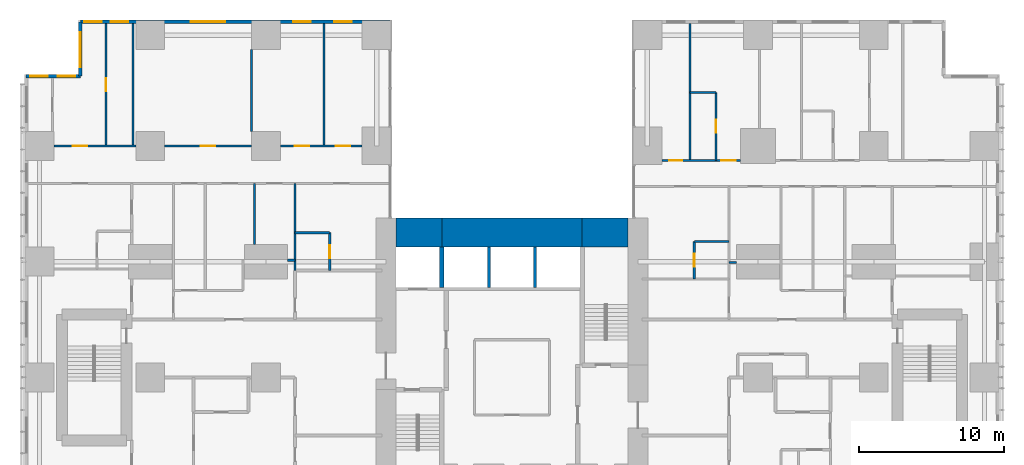
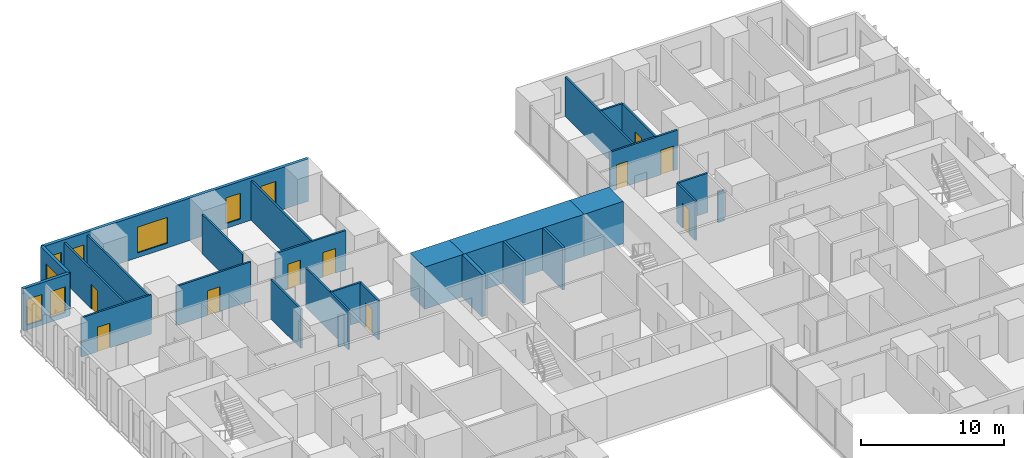
# One storey, part 17 of 20: 28 walls, 10 doors, 8 windows, 18 openings.
"""IFC4 building model written with IfcOpenShell, lengths in metres."""

from ifc_helpers import new_model, si_unit, direction, frame, frame_2d, origin, place, context, subcontext, project, spatial, rectangle, extrude, material, layer, layer_set, type_object, element, fill, save


model = new_model("IFC4")

# Units and contexts
model_context = context("Model", 3, precision=1e-05, world=origin(), true_north=direction((0.0, 1.0)))
body_context = subcontext(model_context, "Body", "Model", "MODEL_VIEW")
ifc_project = project(units=[si_unit("LENGTHUNIT", "METRE"), si_unit("AREAUNIT", "SQUARE_METRE"), si_unit("VOLUMEUNIT", "CUBIC_METRE"), si_unit("PLANEANGLEUNIT", "RADIAN"), si_unit("MASSUNIT", "GRAM", prefix="KILO")], contexts=[model_context])

# Site, building, storey
site_placement = place(None, origin())
site = spatial("IfcSite", under=ifc_project, at=site_placement, CompositionType="ELEMENT")
building_placement = place(site_placement, origin())
building = spatial("IfcBuilding", under=site, at=building_placement, Name="Cleftline Residences", CompositionType="ELEMENT")
storey_placement = place(building_placement, frame((0.0, 0.0, 150.199951171875)))
storey = spatial("IfcBuildingStorey", under=building, at=storey_placement, Name="L39", CompositionType="ELEMENT", Elevation=150.199951171875)

# Walls
ifc_material_1 = material(Name="Concrete B70", Category="concrete")
ifc_layer_1 = layer(ifc_material_1, 2.0)
ifc_layer_set_1 = layer_set([ifc_layer_1], Name="CORE WALL 2000")
wall_type_1 = type_object("IfcWallType", Name="CORE WALL 2000", PredefinedType="SHEAR", material=ifc_layer_set_1)
wall_1_placement = place(storey_placement, frame((25.0, 34.0, 0.0), z_axis=(0.0, 0.0, 1.0), x_axis=(1.0, 0.0, 0.0)))
element("IfcWall", 1, at=wall_1_placement, inside=storey, type_object=wall_type_1, Name="Core wall N1", PredefinedType="SHEAR", context=body_context, shape_type="SweptSolid", body=[
    extrude(rectangle(XDim=3.14990234375, YDim=2.0, at=frame_2d((1.574951171875, 0.0))), origin(), (0.0, 0.0, 1.0), 3.60009765625),
])
wall_2_placement = place(storey_placement, frame((28.14990234375, 34.0, 0.0), z_axis=(0.0, 0.0, 1.0), x_axis=(1.0, 0.0, 0.0)))
element("IfcWall", 2, at=wall_2_placement, inside=storey, type_object=wall_type_1, Name="Core wall N2", PredefinedType="SHEAR", context=body_context, shape_type="SweptSolid", body=[
    extrude(rectangle(XDim=9.7001953125, YDim=2.0, at=frame_2d((4.85009765625, 0.0))), origin(), (0.0, 0.0, 1.0), 3.60009765625),
])
wall_3_placement = place(storey_placement, frame((37.85009765625, 34.0, 0.0), z_axis=(0.0, 0.0, 1.0), x_axis=(1.0, 0.0, 0.0)))
element("IfcWall", 3, at=wall_3_placement, inside=storey, type_object=wall_type_1, Name="Core wall N3", PredefinedType="SHEAR", context=body_context, shape_type="SweptSolid", body=[
    extrude(rectangle(XDim=3.14990234375, YDim=2.0, at=frame_2d((1.574951171875, 0.0))), origin(), (0.0, 0.0, 1.0), 3.60009765625),
])
ifc_material_2 = material(Name="Concrete B70", Category="concrete")
ifc_layer_2 = layer(ifc_material_2, 0.300048828125)
ifc_layer_set_2 = layer_set([ifc_layer_2], Name="CORE WALL 300")
wall_type_2 = type_object("IfcWallType", Name="CORE WALL 300", PredefinedType="SHEAR", material=ifc_layer_set_2)
wall_4_placement = place(storey_placement, frame((28.14990234375, 30.199951171875, 0.0), z_axis=(0.0, 0.0, 1.0), x_axis=(0.0, 1.0, 0.0)))
element("IfcWall", 4, at=wall_4_placement, inside=storey, type_object=wall_type_2, Name="Lift shaft wall", PredefinedType="SHEAR", context=body_context, shape_type="SweptSolid", body=[
    extrude(rectangle(XDim=2.800048828125, YDim=0.300048828125, at=frame_2d((1.39990234375, 0.0))), origin(), (0.0, 0.0, 1.0), 3.60009765625),
])

# Wall, openings, windows
ifc_material_3 = material(Name="Rendered reinforced concrete blockwork", Category="masonry")
ifc_layer_3 = layer(ifc_material_3, 0.25)
ifc_layer_set_3 = layer_set([ifc_layer_3], Name="EXTERNAL WALL 250")
wall_type_3 = type_object("IfcWallType", Name="EXTERNAL WALL 250", PredefinedType="SOLIDWALL", material=ifc_layer_set_3)
wall_5_placement = place(storey_placement, frame((24.574951171875, 48.574951171875, 0.0), z_axis=(0.0, 0.0, 1.0), x_axis=(-1.0, 0.0, 0.0)))
wall_5 = element("IfcWall", 5, at=wall_5_placement, inside=storey, type_object=wall_type_3, Name="External wall", PredefinedType="SOLIDWALL", context=body_context, shape_type="SweptSolid", body=[
    extrude(rectangle(XDim=21.39990234375, YDim=0.25, at=frame_2d((10.699951171875, 0.0))), origin(), (0.0, 0.0, 1.0), 3.60009765625),
])
opening_1_placement = place(wall_5_placement, frame((2.64990234375, 0.0, 0.39990234375)))
opening_1 = element("IfcOpeningElement", 6, at=opening_1_placement, cuts=wall_5, Name="Opening W11", PredefinedType="OPENING", context=body_context, shape_type="SweptSolid", body=[
    extrude(rectangle(XDim=1.199951171875, YDim=2.199951171875, at=frame_2d((0.60009765625, 1.10009765625))), frame((0.0, 0.135009765625, 0.0), z_axis=(0.0, -1.0, 0.0), x_axis=(1.0, 0.0, 0.0)), (0.0, 0.0, 1.0), 0.27001953125),
])
opening_2_placement = place(wall_5_placement, frame((5.47509765625, 0.0, 0.39990234375)))
opening_2 = element("IfcOpeningElement", 7, at=opening_2_placement, cuts=wall_5, Name="Opening W11", PredefinedType="OPENING", context=body_context, shape_type="SweptSolid", body=[
    extrude(rectangle(XDim=1.199951171875, YDim=2.199951171875, at=frame_2d((0.60009765625, 1.10009765625))), frame((0.0, 0.135009765625, 0.0), z_axis=(0.0, -1.0, 0.0), x_axis=(1.0, 0.0, 0.0)), (0.0, 0.0, 1.0), 0.27001953125),
])
opening_3_placement = place(wall_5_placement, frame((11.375, 0.0, 0.39990234375)))
opening_3 = element("IfcOpeningElement", 8, at=opening_3_placement, cuts=wall_5, Name="Opening W12", PredefinedType="OPENING", context=body_context, shape_type="SweptSolid", body=[
    extrude(rectangle(XDim=2.39990234375, YDim=2.199951171875, at=frame_2d((1.199951171875, 1.10009765625))), frame((0.0, 0.135009765625, 0.0), z_axis=(0.0, -1.0, 0.0), x_axis=(1.0, 0.0, 0.0)), (0.0, 0.0, 1.0), 0.27001953125),
])
opening_4_placement = place(wall_5_placement, frame((18.10009765625, 0.0, 0.39990234375)))
opening_4 = element("IfcOpeningElement", 9, at=opening_4_placement, cuts=wall_5, Name="Opening W11", PredefinedType="OPENING", context=body_context, shape_type="SweptSolid", body=[
    extrude(rectangle(XDim=1.199951171875, YDim=2.199951171875, at=frame_2d((0.60009765625, 1.10009765625))), frame((0.0, 0.135009765625, 0.0), z_axis=(0.0, -1.0, 0.0), x_axis=(1.0, 0.0, 0.0)), (0.0, 0.0, 1.0), 0.27001953125),
])
opening_5_placement = place(wall_5_placement, frame((19.925048828125, 0.0, 0.39990234375)))
opening_5 = element("IfcOpeningElement", 10, at=opening_5_placement, cuts=wall_5, Name="Opening W11", PredefinedType="OPENING", context=body_context, shape_type="SweptSolid", body=[
    extrude(rectangle(XDim=1.199951171875, YDim=2.199951171875, at=frame_2d((0.60009765625, 1.10009765625))), frame((0.0, 0.135009765625, 0.0), z_axis=(0.0, -1.0, 0.0), x_axis=(1.0, 0.0, 0.0)), (0.0, 0.0, 1.0), 0.27001953125),
])
ifc_material_4 = material(Name="Aluminium frame, clear double glazing", Category="aluminium")
window_type_1 = type_object("IfcWindowType", Name="WINDOW 1200X2200", PartitioningType="DOUBLE_PANEL_VERTICAL", PredefinedType="WINDOW", material=ifc_material_4)
window_1_placement = place(opening_1_placement, origin())
window_1 = element("IfcWindow", 11, at=window_1_placement, inside=storey, type_object=window_type_1, Name="Window", OverallHeight=2.199951171875, OverallWidth=1.199951171875, PartitioningType="SINGLE_PANEL", PredefinedType="WINDOW", context=body_context, shape_type="SweptSolid", body=[
    extrude(rectangle(XDim=1.199951171875, YDim=2.199951171875, at=frame_2d((0.60009765625, 1.10009765625))), frame((0.0, 0.030029296875, 0.0), z_axis=(0.0, -1.0, 0.0), x_axis=(1.0, 0.0, 0.0)), (0.0, 0.0, 1.0), 0.06005859375),
])
fill(opening_1, window_1)
window_2_placement = place(opening_2_placement, origin())
window_2 = element("IfcWindow", 12, at=window_2_placement, inside=storey, type_object=window_type_1, Name="Window", OverallHeight=2.199951171875, OverallWidth=1.199951171875, PartitioningType="SINGLE_PANEL", PredefinedType="WINDOW", context=body_context, shape_type="SweptSolid", body=[
    extrude(rectangle(XDim=1.199951171875, YDim=2.199951171875, at=frame_2d((0.60009765625, 1.10009765625))), frame((0.0, 0.030029296875, 0.0), z_axis=(0.0, -1.0, 0.0), x_axis=(1.0, 0.0, 0.0)), (0.0, 0.0, 1.0), 0.06005859375),
])
fill(opening_2, window_2)
window_3_placement = place(opening_4_placement, origin())
window_3 = element("IfcWindow", 13, at=window_3_placement, inside=storey, type_object=window_type_1, Name="Window", OverallHeight=2.199951171875, OverallWidth=1.199951171875, PartitioningType="SINGLE_PANEL", PredefinedType="WINDOW", context=body_context, shape_type="SweptSolid", body=[
    extrude(rectangle(XDim=1.199951171875, YDim=2.199951171875, at=frame_2d((0.60009765625, 1.10009765625))), frame((0.0, 0.030029296875, 0.0), z_axis=(0.0, -1.0, 0.0), x_axis=(1.0, 0.0, 0.0)), (0.0, 0.0, 1.0), 0.06005859375),
])
fill(opening_4, window_3)
window_4_placement = place(opening_5_placement, origin())
window_4 = element("IfcWindow", 14, at=window_4_placement, inside=storey, type_object=window_type_1, Name="Window", OverallHeight=2.199951171875, OverallWidth=1.199951171875, PartitioningType="SINGLE_PANEL", PredefinedType="WINDOW", context=body_context, shape_type="SweptSolid", body=[
    extrude(rectangle(XDim=1.199951171875, YDim=2.199951171875, at=frame_2d((0.60009765625, 1.10009765625))), frame((0.0, 0.030029296875, 0.0), z_axis=(0.0, -1.0, 0.0), x_axis=(1.0, 0.0, 0.0)), (0.0, 0.0, 1.0), 0.06005859375),
])
fill(opening_5, window_4)
ifc_material_5 = material(Name="Aluminium frame, clear double glazing", Category="aluminium")
window_type_2 = type_object("IfcWindowType", Name="WINDOW 2400X2200", PartitioningType="DOUBLE_PANEL_VERTICAL", PredefinedType="WINDOW", material=ifc_material_5)
window_5_placement = place(opening_3_placement, origin())
window_5 = element("IfcWindow", 15, at=window_5_placement, inside=storey, type_object=window_type_2, Name="Window", OverallHeight=2.199951171875, OverallWidth=2.39990234375, PartitioningType="SINGLE_PANEL", PredefinedType="WINDOW", context=body_context, shape_type="SweptSolid", body=[
    extrude(rectangle(XDim=2.39990234375, YDim=2.199951171875, at=frame_2d((1.199951171875, 1.10009765625))), frame((0.0, 0.030029296875, 0.0), z_axis=(0.0, -1.0, 0.0), x_axis=(1.0, 0.0, 0.0)), (0.0, 0.0, 1.0), 0.06005859375),
])
fill(opening_3, window_5)

# Wall, opening, window
wall_6_placement = place(storey_placement, frame((3.175048828125, 48.574951171875, 0.0), z_axis=(0.0, 0.0, 1.0), x_axis=(0.0, -1.0, 0.0)))
wall_6 = element("IfcWall", 16, at=wall_6_placement, inside=storey, type_object=wall_type_3, Name="External wall", PredefinedType="SOLIDWALL", context=body_context, shape_type="SweptSolid", body=[
    extrude(rectangle(XDim=3.75, YDim=0.25, at=frame_2d((1.875, 0.0))), origin(), (0.0, 0.0, 1.0), 3.60009765625),
])
opening_6_placement = place(wall_6_placement, frame((0.737548828125, 0.0, 0.39990234375)))
opening_6 = element("IfcOpeningElement", 17, at=opening_6_placement, cuts=wall_6, Name="Opening W12", PredefinedType="OPENING", context=body_context, shape_type="SweptSolid", body=[
    extrude(rectangle(XDim=2.39990234375, YDim=2.199951171875, at=frame_2d((1.199951171875, 1.10009765625))), frame((0.0, 0.135009765625, 0.0), z_axis=(0.0, -1.0, 0.0), x_axis=(1.0, 0.0, 0.0)), (0.0, 0.0, 1.0), 0.27001953125),
])
window_6_placement = place(opening_6_placement, origin())
window_6 = element("IfcWindow", 18, at=window_6_placement, inside=storey, type_object=window_type_2, Name="Window", OverallHeight=2.199951171875, OverallWidth=2.39990234375, PartitioningType="SINGLE_PANEL", PredefinedType="WINDOW", context=body_context, shape_type="SweptSolid", body=[
    extrude(rectangle(XDim=2.39990234375, YDim=2.199951171875, at=frame_2d((1.199951171875, 1.10009765625))), frame((0.0, 0.030029296875, 0.0), z_axis=(0.0, -1.0, 0.0), x_axis=(1.0, 0.0, 0.0)), (0.0, 0.0, 1.0), 0.06005859375),
])
fill(opening_6, window_6)

# Wall, openings, windows
wall_7_placement = place(storey_placement, frame((3.175048828125, 44.824951171875, 0.0), z_axis=(0.0, 0.0, 1.0), x_axis=(-1.0, 0.0, 0.0)))
wall_7 = element("IfcWall", 19, at=wall_7_placement, inside=storey, type_object=wall_type_3, Name="External wall", PredefinedType="SOLIDWALL", context=body_context, shape_type="SweptSolid", body=[
    extrude(rectangle(XDim=3.75, YDim=0.25, at=frame_2d((1.875, 0.0))), origin(), (0.0, 0.0, 1.0), 3.60009765625),
])
opening_7_placement = place(wall_7_placement, frame((0.362548828125, 0.0, 0.39990234375)))
opening_7 = element("IfcOpeningElement", 20, at=opening_7_placement, cuts=wall_7, Name="Opening W11", PredefinedType="OPENING", context=body_context, shape_type="SweptSolid", body=[
    extrude(rectangle(XDim=1.199951171875, YDim=2.199951171875, at=frame_2d((0.60009765625, 1.10009765625))), frame((0.0, 0.135009765625, 0.0), z_axis=(0.0, -1.0, 0.0), x_axis=(1.0, 0.0, 0.0)), (0.0, 0.0, 1.0), 0.27001953125),
])
opening_8_placement = place(wall_7_placement, frame((2.25, 0.0, 0.39990234375)))
opening_8 = element("IfcOpeningElement", 21, at=opening_8_placement, cuts=wall_7, Name="Opening W11", PredefinedType="OPENING", context=body_context, shape_type="SweptSolid", body=[
    extrude(rectangle(XDim=1.199951171875, YDim=2.199951171875, at=frame_2d((0.60009765625, 1.10009765625))), frame((0.0, 0.135009765625, 0.0), z_axis=(0.0, -1.0, 0.0), x_axis=(1.0, 0.0, 0.0)), (0.0, 0.0, 1.0), 0.27001953125),
])
window_7_placement = place(opening_7_placement, origin())
window_7 = element("IfcWindow", 22, at=window_7_placement, inside=storey, type_object=window_type_1, Name="Window", OverallHeight=2.199951171875, OverallWidth=1.199951171875, PartitioningType="SINGLE_PANEL", PredefinedType="WINDOW", context=body_context, shape_type="SweptSolid", body=[
    extrude(rectangle(XDim=1.199951171875, YDim=2.199951171875, at=frame_2d((0.60009765625, 1.10009765625))), frame((0.0, 0.030029296875, 0.0), z_axis=(0.0, -1.0, 0.0), x_axis=(1.0, 0.0, 0.0)), (0.0, 0.0, 1.0), 0.06005859375),
])
fill(opening_7, window_7)
window_8_placement = place(opening_8_placement, origin())
window_8 = element("IfcWindow", 23, at=window_8_placement, inside=storey, type_object=window_type_1, Name="Window", OverallHeight=2.199951171875, OverallWidth=1.199951171875, PartitioningType="SINGLE_PANEL", PredefinedType="WINDOW", context=body_context, shape_type="SweptSolid", body=[
    extrude(rectangle(XDim=1.199951171875, YDim=2.199951171875, at=frame_2d((0.60009765625, 1.10009765625))), frame((0.0, 0.030029296875, 0.0), z_axis=(0.0, -1.0, 0.0), x_axis=(1.0, 0.0, 0.0)), (0.0, 0.0, 1.0), 0.06005859375),
])
fill(opening_8, window_8)

# Walls
ifc_material_6 = material(Name="Gypsum board on steel studs", Category="steel")
ifc_layer_4 = layer(ifc_material_6, 0.14990234375)
ifc_layer_set_4 = layer_set([ifc_layer_4], Name="PARTITION 150")
wall_type_4 = type_object("IfcWallType", Name="PARTITION 150", PredefinedType="PARTITIONING", material=ifc_layer_set_4)
for number, where, z_axis, x_axis, name in (
    (24, (48.0, 31.949951171875, 0.0), (0.0, 0.0, 1.0), (1.0, 0.0, 0.0), "Partition"),
    (25, (17.5, 32.10009765625, 0.0), (0.0, 0.0, 1.0), (1.0, 0.0, 0.0), "Partition"),
):
    element("IfcWall", number, at=place(storey_placement, frame(where, z_axis=z_axis, x_axis=x_axis)), inside=storey, type_object=wall_type_4, Name=name, PredefinedType="PARTITIONING", context=body_context, shape_type="SweptSolid", body=[
        extrude(rectangle(XDim=0.5, YDim=0.14990234375, at=frame_2d((0.25, 0.0))), origin(), (0.0, 0.0, 1.0), 2.634033203125),
    ])
for number, where, z_axis, x_axis, name in (
    (26, (45.60009765625, 33.39990234375, 0.0), (0.0, 0.0, 1.0), (1.0, 0.0, 0.0), "Partition"),
    (27, (18.0, 34.0, 0.0), (0.0, 0.0, 1.0), (1.0, 0.0, 0.0), "Partition"),
):
    element("IfcWall", number, at=place(storey_placement, frame(where, z_axis=z_axis, x_axis=x_axis)), inside=storey, type_object=wall_type_4, Name=name, PredefinedType="PARTITIONING", context=body_context, shape_type="SweptSolid", body=[
        extrude(rectangle(XDim=2.39990234375, YDim=0.14990234375, at=frame_2d((1.199951171875, 0.0))), origin(), (0.0, 0.0, 1.0), 3.35009765625),
    ])

# Wall, openings, doors
wall_8_placement = place(storey_placement, frame((43.35009765625, 39.0, 0.0), z_axis=(0.0, 0.0, 1.0), x_axis=(1.0, 0.0, 0.0)))
wall_8 = element("IfcWall", 28, at=wall_8_placement, inside=storey, type_object=wall_type_4, Name="Partition", PredefinedType="PARTITIONING", context=body_context, shape_type="SweptSolid", body=[
    extrude(rectangle(XDim=5.449951171875, YDim=0.14990234375, at=frame_2d((2.72509765625, 0.0))), origin(), (0.0, 0.0, 1.0), 3.35009765625),
])
opening_9_placement = place(wall_8_placement, frame((4.10009765625, 0.0, 0.0)))
opening_9 = element("IfcOpeningElement", 29, at=opening_9_placement, cuts=wall_8, Name="Opening D2", PredefinedType="OPENING", context=body_context, shape_type="SweptSolid", body=[
    extrude(rectangle(XDim=1.0, YDim=2.10009765625, at=frame_2d((0.5, 1.050048828125))), frame((0.0, 0.0849609375, 0.0), z_axis=(0.0, -1.0, 0.0), x_axis=(1.0, 0.0, 0.0)), (0.0, 0.0, 1.0), 0.169921875),
])
opening_10_placement = place(wall_8_placement, frame((0.52490234375, 0.0, 0.0)))
opening_10 = element("IfcOpeningElement", 30, at=opening_10_placement, cuts=wall_8, Name="Opening D1", PredefinedType="OPENING", context=body_context, shape_type="SweptSolid", body=[
    extrude(rectangle(XDim=0.89990234375, YDim=2.10009765625, at=frame_2d((0.449951171875, 1.050048828125))), frame((0.0, 0.0849609375, 0.0), z_axis=(0.0, -1.0, 0.0), x_axis=(1.0, 0.0, 0.0)), (0.0, 0.0, 1.0), 0.169921875),
])
ifc_material_7 = material(Name="Timber veneer on solid core", Category="wood")
door_type_1 = type_object("IfcDoorType", Name="DOOR 1000X2100", OperationType="SINGLE_SWING_LEFT", PredefinedType="DOOR", material=ifc_material_7)
door_1_placement = place(opening_9_placement, origin())
door_1 = element("IfcDoor", 31, at=door_1_placement, inside=storey, type_object=door_type_1, Name="Door to bedroom 3", OperationType="SINGLE_SWING_LEFT", OverallHeight=2.10009765625, OverallWidth=1.0, PredefinedType="DOOR", context=body_context, shape_type="SweptSolid", body=[
    extrude(rectangle(XDim=1.0, YDim=2.10009765625, at=frame_2d((0.5, 1.050048828125))), frame((0.0, 0.02490234375, 0.0), z_axis=(0.0, -1.0, 0.0), x_axis=(1.0, 0.0, 0.0)), (0.0, 0.0, 1.0), 0.050048828125),
])
fill(opening_9, door_1)
ifc_material_8 = material(Name="Timber veneer on solid core", Category="wood")
door_type_2 = type_object("IfcDoorType", Name="DOOR 900X2100", OperationType="SINGLE_SWING_LEFT", PredefinedType="DOOR", material=ifc_material_8)
door_2_placement = place(opening_10_placement, origin())
door_2 = element("IfcDoor", 32, at=door_2_placement, inside=storey, type_object=door_type_2, Name="Door to dressing room", OperationType="SINGLE_SWING_RIGHT", OverallHeight=2.10009765625, OverallWidth=0.89990234375, PredefinedType="DOOR", context=body_context, shape_type="SweptSolid", body=[
    extrude(rectangle(XDim=0.89990234375, YDim=2.10009765625, at=frame_2d((0.449951171875, 1.050048828125))), frame((0.0, 0.02490234375, 0.0), z_axis=(0.0, -1.0, 0.0), x_axis=(1.0, 0.0, 0.0)), (0.0, 0.0, 1.0), 0.050048828125),
])
fill(opening_10, door_2)

# Wall, opening, door
wall_9_placement = place(storey_placement, frame((1.35009765625, 40.0, 0.0), z_axis=(0.0, 0.0, 1.0), x_axis=(1.0, 0.0, 0.0)))
wall_9 = element("IfcWall", 33, at=wall_9_placement, inside=storey, type_object=wall_type_4, Name="Partition", PredefinedType="PARTITIONING", context=body_context, shape_type="SweptSolid", body=[
    extrude(rectangle(XDim=5.64990234375, YDim=0.14990234375, at=frame_2d((2.824951171875, 0.0))), origin(), (0.0, 0.0, 1.0), 3.35009765625),
])
opening_11_placement = place(wall_9_placement, frame((1.300048828125, 0.0, 0.0)))
opening_11 = element("IfcOpeningElement", 34, at=opening_11_placement, cuts=wall_9, Name="Opening D2", PredefinedType="OPENING", context=body_context, shape_type="SweptSolid", body=[
    extrude(rectangle(XDim=1.0, YDim=2.10009765625, at=frame_2d((0.5, 1.050048828125))), frame((0.0, 0.0849609375, 0.0), z_axis=(0.0, -1.0, 0.0), x_axis=(1.0, 0.0, 0.0)), (0.0, 0.0, 1.0), 0.169921875),
])
door_3_placement = place(opening_11_placement, origin())
door_3 = element("IfcDoor", 35, at=door_3_placement, inside=storey, type_object=door_type_1, Name="Door to bedroom 2", OperationType="SINGLE_SWING_RIGHT", OverallHeight=2.10009765625, OverallWidth=1.0, PredefinedType="DOOR", context=body_context, shape_type="SweptSolid", body=[
    extrude(rectangle(XDim=1.0, YDim=2.10009765625, at=frame_2d((0.5, 1.050048828125))), frame((0.0, 0.02490234375, 0.0), z_axis=(0.0, -1.0, 0.0), x_axis=(1.0, 0.0, 0.0)), (0.0, 0.0, 1.0), 0.050048828125),
])
fill(opening_11, door_3)

wall_10_placement = place(storey_placement, frame((9.0, 40.0, 0.0), z_axis=(0.0, 0.0, 1.0), x_axis=(1.0, 0.0, 0.0)))
wall_10 = element("IfcWall", 36, at=wall_10_placement, inside=storey, type_object=wall_type_4, Name="Partition", PredefinedType="PARTITIONING", context=body_context, shape_type="SweptSolid", body=[
    extrude(rectangle(XDim=6.0, YDim=0.14990234375, at=frame_2d((3.0, 0.0))), origin(), (0.0, 0.0, 1.0), 3.35009765625),
])
opening_12_placement = place(wall_10_placement, frame((2.5, 0.0, 0.0)))
opening_12 = element("IfcOpeningElement", 37, at=opening_12_placement, cuts=wall_10, Name="Opening D2", PredefinedType="OPENING", context=body_context, shape_type="SweptSolid", body=[
    extrude(rectangle(XDim=1.0, YDim=2.10009765625, at=frame_2d((0.5, 1.050048828125))), frame((0.0, 0.0849609375, 0.0), z_axis=(0.0, -1.0, 0.0), x_axis=(1.0, 0.0, 0.0)), (0.0, 0.0, 1.0), 0.169921875),
])
door_4_placement = place(opening_12_placement, origin())
door_4 = element("IfcDoor", 38, at=door_4_placement, inside=storey, type_object=door_type_1, Name="Door to living room", OperationType="SINGLE_SWING_LEFT", OverallHeight=2.10009765625, OverallWidth=1.0, PredefinedType="DOOR", context=body_context, shape_type="SweptSolid", body=[
    extrude(rectangle(XDim=1.0, YDim=2.10009765625, at=frame_2d((0.5, 1.050048828125))), frame((0.0, 0.02490234375, 0.0), z_axis=(0.0, -1.0, 0.0), x_axis=(1.0, 0.0, 0.0)), (0.0, 0.0, 1.0), 0.050048828125),
])
fill(opening_12, door_4)

# Wall, openings, doors
wall_11_placement = place(storey_placement, frame((17.0, 40.0, 0.0), z_axis=(0.0, 0.0, 1.0), x_axis=(1.0, 0.0, 0.0)))
wall_11 = element("IfcWall", 39, at=wall_11_placement, inside=storey, type_object=wall_type_4, Name="Partition", PredefinedType="PARTITIONING", context=body_context, shape_type="SweptSolid", body=[
    extrude(rectangle(XDim=5.64990234375, YDim=0.14990234375, at=frame_2d((2.824951171875, 0.0))), origin(), (0.0, 0.0, 1.0), 3.35009765625),
])
opening_13_placement = place(wall_11_placement, frame((1.0, 0.0, 0.0)))
opening_13 = element("IfcOpeningElement", 40, at=opening_13_placement, cuts=wall_11, Name="Opening D2", PredefinedType="OPENING", context=body_context, shape_type="SweptSolid", body=[
    extrude(rectangle(XDim=1.0, YDim=2.10009765625, at=frame_2d((0.5, 1.050048828125))), frame((0.0, 0.0849609375, 0.0), z_axis=(0.0, -1.0, 0.0), x_axis=(1.0, 0.0, 0.0)), (0.0, 0.0, 1.0), 0.169921875),
])
opening_14_placement = place(wall_11_placement, frame((3.824951171875, 0.0, 0.0)))
opening_14 = element("IfcOpeningElement", 41, at=opening_14_placement, cuts=wall_11, Name="Opening D2", PredefinedType="OPENING", context=body_context, shape_type="SweptSolid", body=[
    extrude(rectangle(XDim=1.0, YDim=2.10009765625, at=frame_2d((0.5, 1.050048828125))), frame((0.0, 0.0849609375, 0.0), z_axis=(0.0, -1.0, 0.0), x_axis=(1.0, 0.0, 0.0)), (0.0, 0.0, 1.0), 0.169921875),
])
door_5_placement = place(opening_13_placement, origin())
door_5 = element("IfcDoor", 42, at=door_5_placement, inside=storey, type_object=door_type_1, Name="Door to dining room", OperationType="SINGLE_SWING_RIGHT", OverallHeight=2.10009765625, OverallWidth=1.0, PredefinedType="DOOR", context=body_context, shape_type="SweptSolid", body=[
    extrude(rectangle(XDim=1.0, YDim=2.10009765625, at=frame_2d((0.5, 1.050048828125))), frame((0.0, 0.02490234375, 0.0), z_axis=(0.0, -1.0, 0.0), x_axis=(1.0, 0.0, 0.0)), (0.0, 0.0, 1.0), 0.050048828125),
])
fill(opening_13, door_5)
door_6_placement = place(opening_14_placement, origin())
door_6 = element("IfcDoor", 43, at=door_6_placement, inside=storey, type_object=door_type_1, Name="Door to show kitchen", OperationType="SINGLE_SWING_LEFT", OverallHeight=2.10009765625, OverallWidth=1.0, PredefinedType="DOOR", context=body_context, shape_type="SweptSolid", body=[
    extrude(rectangle(XDim=1.0, YDim=2.10009765625, at=frame_2d((0.5, 1.050048828125))), frame((0.0, 0.02490234375, 0.0), z_axis=(0.0, -1.0, 0.0), x_axis=(1.0, 0.0, 0.0)), (0.0, 0.0, 1.0), 0.050048828125),
])
fill(opening_14, door_6)

# Wall
wall_12_placement = place(storey_placement, frame((45.300048828125, 43.699951171875, 0.0), z_axis=(0.0, 0.0, 1.0), x_axis=(1.0, 0.0, 0.0)))
element("IfcWall", 44, at=wall_12_placement, inside=storey, type_object=wall_type_4, Name="Partition", PredefinedType="PARTITIONING", context=body_context, shape_type="SweptSolid", body=[
    extrude(rectangle(XDim=1.800048828125, YDim=0.14990234375, at=frame_2d((0.89990234375, 0.0))), origin(), (0.0, 0.0, 1.0), 3.35009765625),
])

# Wall, opening, door
wall_13_placement = place(storey_placement, frame((4.949951171875, 40.0, 0.0), z_axis=(0.0, 0.0, 1.0), x_axis=(0.0, 1.0, 0.0)))
wall_13 = element("IfcWall", 45, at=wall_13_placement, inside=storey, type_object=wall_type_4, Name="Partition", PredefinedType="PARTITIONING", context=body_context, shape_type="SweptSolid", body=[
    extrude(rectangle(XDim=8.449951171875, YDim=0.14990234375, at=frame_2d((4.22509765625, 0.0))), origin(), (0.0, 0.0, 1.0), 3.35009765625),
])
opening_15_placement = place(wall_13_placement, frame((3.77490234375, 0.0, 0.0)))
opening_15 = element("IfcOpeningElement", 46, at=opening_15_placement, cuts=wall_13, Name="Opening D1", PredefinedType="OPENING", context=body_context, shape_type="SweptSolid", body=[
    extrude(rectangle(XDim=0.89990234375, YDim=2.10009765625, at=frame_2d((0.449951171875, 1.050048828125))), frame((0.0, 0.0849609375, 0.0), z_axis=(0.0, -1.0, 0.0), x_axis=(1.0, 0.0, 0.0)), (0.0, 0.0, 1.0), 0.169921875),
])
door_7_placement = place(opening_15_placement, origin())
door_7 = element("IfcDoor", 47, at=door_7_placement, inside=storey, type_object=door_type_2, Name="Door to en-suite bathroom 2", OperationType="SINGLE_SWING_LEFT", OverallHeight=2.10009765625, OverallWidth=0.89990234375, PredefinedType="DOOR", context=body_context, shape_type="SweptSolid", body=[
    extrude(rectangle(XDim=0.89990234375, YDim=2.10009765625, at=frame_2d((0.449951171875, 1.050048828125))), frame((0.0, 0.02490234375, 0.0), z_axis=(0.0, -1.0, 0.0), x_axis=(1.0, 0.0, 0.0)), (0.0, 0.0, 1.0), 0.050048828125),
])
fill(opening_15, door_7)

# Walls
wall_14_placement = place(storey_placement, frame((6.800048828125, 40.0, 0.0), z_axis=(0.0, 0.0, 1.0), x_axis=(0.0, 1.0, 0.0)))
element("IfcWall", 48, at=wall_14_placement, inside=storey, type_object=wall_type_4, Name="Partition", PredefinedType="PARTITIONING", context=body_context, shape_type="SweptSolid", body=[
    extrude(rectangle(XDim=8.449951171875, YDim=0.14990234375, at=frame_2d((4.22509765625, 0.0))), origin(), (0.0, 0.0, 1.0), 3.35009765625),
])
wall_15_placement = place(storey_placement, frame((15.0, 41.0, 0.0), z_axis=(0.0, 0.0, 1.0), x_axis=(0.0, 1.0, 0.0)))
element("IfcWall", 49, at=wall_15_placement, inside=storey, type_object=wall_type_4, Name="Partition", PredefinedType="PARTITIONING", context=body_context, shape_type="SweptSolid", body=[
    extrude(rectangle(XDim=5.64990234375, YDim=0.14990234375, at=frame_2d((2.824951171875, 0.0))), origin(), (0.0, 0.0, 1.0), 3.35009765625),
])
wall_16_placement = place(storey_placement, frame((15.199951171875, 33.199951171875, 0.0), z_axis=(0.0, 0.0, 1.0), x_axis=(0.0, 1.0, 0.0)))
element("IfcWall", 50, at=wall_16_placement, inside=storey, type_object=wall_type_4, Name="Partition", PredefinedType="PARTITIONING", context=body_context, shape_type="SweptSolid", body=[
    extrude(rectangle(XDim=4.199951171875, YDim=0.14990234375, at=frame_2d((2.10009765625, 0.0))), origin(), (0.0, 0.0, 1.0), 3.35009765625),
])
wall_17_placement = place(storey_placement, frame((18.0, 31.39990234375, 0.0), z_axis=(0.0, 0.0, 1.0), x_axis=(0.0, 1.0, 0.0)))
element("IfcWall", 51, at=wall_17_placement, inside=storey, type_object=wall_type_4, Name="Partition", PredefinedType="PARTITIONING", context=body_context, shape_type="SweptSolid", body=[
    extrude(rectangle(XDim=6.0, YDim=0.14990234375, at=frame_2d((3.0, 0.0))), origin(), (0.0, 0.0, 1.0), 3.35009765625),
])
wall_18_placement = place(storey_placement, frame((20.0, 40.0, 0.0), z_axis=(0.0, 0.0, 1.0), x_axis=(0.0, 1.0, 0.0)))
element("IfcWall", 52, at=wall_18_placement, inside=storey, type_object=wall_type_4, Name="Partition", PredefinedType="PARTITIONING", context=body_context, shape_type="SweptSolid", body=[
    extrude(rectangle(XDim=8.449951171875, YDim=0.14990234375, at=frame_2d((4.22509765625, 0.0))), origin(), (0.0, 0.0, 1.0), 3.35009765625),
])

# Wall, opening, door
wall_19_placement = place(storey_placement, frame((20.39990234375, 31.39990234375, 0.0), z_axis=(0.0, 0.0, 1.0), x_axis=(0.0, 1.0, 0.0)))
wall_19 = element("IfcWall", 53, at=wall_19_placement, inside=storey, type_object=wall_type_4, Name="Partition", PredefinedType="PARTITIONING", context=body_context, shape_type="SweptSolid", body=[
    extrude(rectangle(XDim=2.60009765625, YDim=0.14990234375, at=frame_2d((1.300048828125, 0.0))), origin(), (0.0, 0.0, 1.0), 3.35009765625),
])
opening_16_placement = place(wall_19_placement, frame((0.85009765625, 0.0, 0.0)))
opening_16 = element("IfcOpeningElement", 54, at=opening_16_placement, cuts=wall_19, Name="Opening D1", PredefinedType="OPENING", context=body_context, shape_type="SweptSolid", body=[
    extrude(rectangle(XDim=0.89990234375, YDim=2.10009765625, at=frame_2d((0.449951171875, 1.050048828125))), frame((0.0, 0.0849609375, 0.0), z_axis=(0.0, -1.0, 0.0), x_axis=(1.0, 0.0, 0.0)), (0.0, 0.0, 1.0), 0.169921875),
])
door_8_placement = place(opening_16_placement, origin())
door_8 = element("IfcDoor", 55, at=door_8_placement, inside=storey, type_object=door_type_2, Name="Door to en-suite bathroom 3", OperationType="SINGLE_SWING_LEFT", OverallHeight=2.10009765625, OverallWidth=0.89990234375, PredefinedType="DOOR", context=body_context, shape_type="SweptSolid", body=[
    extrude(rectangle(XDim=0.89990234375, YDim=2.10009765625, at=frame_2d((0.449951171875, 1.050048828125))), frame((0.0, 0.02490234375, 0.0), z_axis=(0.0, -1.0, 0.0), x_axis=(1.0, 0.0, 0.0)), (0.0, 0.0, 1.0), 0.050048828125),
])
fill(opening_16, door_8)

# Wall
wall_20_placement = place(storey_placement, frame((45.300048828125, 39.0, 0.0), z_axis=(0.0, 0.0, 1.0), x_axis=(0.0, 1.0, 0.0)))
element("IfcWall", 56, at=wall_20_placement, inside=storey, type_object=wall_type_4, Name="Partition", PredefinedType="PARTITIONING", context=body_context, shape_type="SweptSolid", body=[
    extrude(rectangle(XDim=9.449951171875, YDim=0.14990234375, at=frame_2d((4.72509765625, 0.0))), origin(), (0.0, 0.0, 1.0), 3.35009765625),
])

# Wall, opening, door
wall_21_placement = place(storey_placement, frame((45.60009765625, 30.800048828125, 0.0), z_axis=(0.0, 0.0, 1.0), x_axis=(0.0, 1.0, 0.0)))
wall_21 = element("IfcWall", 57, at=wall_21_placement, inside=storey, type_object=wall_type_4, Name="Partition", PredefinedType="PARTITIONING", context=body_context, shape_type="SweptSolid", body=[
    extrude(rectangle(XDim=2.599853515625, YDim=0.14990234375, at=frame_2d((1.2998046875, 0.0))), origin(), (0.0, 0.0, 1.0), 3.35009765625),
])
opening_17_placement = place(wall_21_placement, frame((0.85009765625, 0.0, 0.0)))
opening_17 = element("IfcOpeningElement", 58, at=opening_17_placement, cuts=wall_21, Name="Opening D1", PredefinedType="OPENING", context=body_context, shape_type="SweptSolid", body=[
    extrude(rectangle(XDim=0.89990234375, YDim=2.10009765625, at=frame_2d((0.449951171875, 1.050048828125))), frame((0.0, 0.0849609375, 0.0), z_axis=(0.0, -1.0, 0.0), x_axis=(1.0, 0.0, 0.0)), (0.0, 0.0, 1.0), 0.169921875),
])
door_9_placement = place(opening_17_placement, origin())
door_9 = element("IfcDoor", 59, at=door_9_placement, inside=storey, type_object=door_type_2, Name="Door to en-suite bathroom 4", OperationType="SINGLE_SWING_LEFT", OverallHeight=2.10009765625, OverallWidth=0.89990234375, PredefinedType="DOOR", context=body_context, shape_type="SweptSolid", body=[
    extrude(rectangle(XDim=0.89990234375, YDim=2.10009765625, at=frame_2d((0.449951171875, 1.050048828125))), frame((0.0, 0.02490234375, 0.0), z_axis=(0.0, -1.0, 0.0), x_axis=(1.0, 0.0, 0.0)), (0.0, 0.0, 1.0), 0.050048828125),
])
fill(opening_17, door_9)

wall_22_placement = place(storey_placement, frame((47.10009765625, 39.0, 0.0), z_axis=(0.0, 0.0, 1.0), x_axis=(0.0, 1.0, 0.0)))
wall_22 = element("IfcWall", 60, at=wall_22_placement, inside=storey, type_object=wall_type_4, Name="Partition", PredefinedType="PARTITIONING", context=body_context, shape_type="SweptSolid", body=[
    extrude(rectangle(XDim=4.699951171875, YDim=0.14990234375, at=frame_2d((2.35009765625, 0.0))), origin(), (0.0, 0.0, 1.0), 3.35009765625),
])
opening_18_placement = place(wall_22_placement, frame((1.89990234375, 0.0, 0.0)))
opening_18 = element("IfcOpeningElement", 61, at=opening_18_placement, cuts=wall_22, Name="Opening D1", PredefinedType="OPENING", context=body_context, shape_type="SweptSolid", body=[
    extrude(rectangle(XDim=0.89990234375, YDim=2.10009765625, at=frame_2d((0.449951171875, 1.050048828125))), frame((0.0, 0.0849609375, 0.0), z_axis=(0.0, -1.0, 0.0), x_axis=(1.0, 0.0, 0.0)), (0.0, 0.0, 1.0), 0.169921875),
])
door_10_placement = place(opening_18_placement, origin())
door_10 = element("IfcDoor", 62, at=door_10_placement, inside=storey, type_object=door_type_2, Name="Door to en-suite bathroom 3", OperationType="SINGLE_SWING_LEFT", OverallHeight=2.10009765625, OverallWidth=0.89990234375, PredefinedType="DOOR", context=body_context, shape_type="SweptSolid", body=[
    extrude(rectangle(XDim=0.89990234375, YDim=2.10009765625, at=frame_2d((0.449951171875, 1.050048828125))), frame((0.0, 0.02490234375, 0.0), z_axis=(0.0, -1.0, 0.0), x_axis=(1.0, 0.0, 0.0)), (0.0, 0.0, 1.0), 0.050048828125),
])
fill(opening_18, door_10)

# Walls
ifc_material_9 = material(Name="Concrete blockwork, fire rated", Category="masonry")
ifc_layer_5 = layer(ifc_material_9, 0.199951171875)
ifc_layer_set_5 = layer_set([ifc_layer_5], Name="SHAFT WALL 200")
wall_type_5 = type_object("IfcWallType", Name="SHAFT WALL 200", PredefinedType="PARTITIONING", material=ifc_layer_set_5)
for number, where, z_axis, x_axis, name in (
    (63, (31.39990234375, 30.199951171875, 0.0), (0.0, 0.0, 1.0), (0.0, 1.0, 0.0), "Lift shaft wall"),
    (64, (34.60009765625, 30.199951171875, 0.0), (0.0, 0.0, 1.0), (0.0, 1.0, 0.0), "Lift shaft wall"),
):
    element("IfcWall", number, at=place(storey_placement, frame(where, z_axis=z_axis, x_axis=x_axis)), inside=storey, type_object=wall_type_5, Name=name, PredefinedType="PARTITIONING", context=body_context, shape_type="SweptSolid", body=[
        extrude(rectangle(XDim=2.800048828125, YDim=0.199951171875, at=frame_2d((1.39990234375, 0.0))), origin(), (0.0, 0.0, 1.0), 3.60009765625),
    ])

save(model, "model.ifc")
